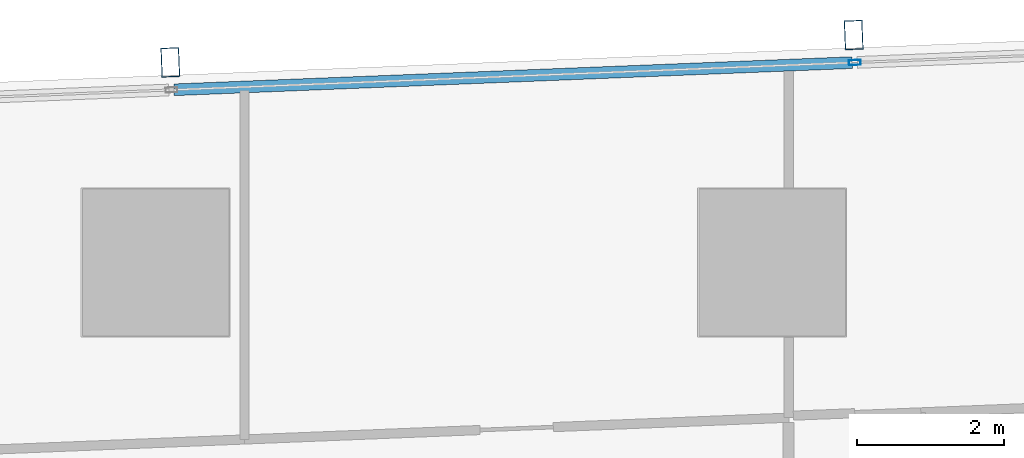
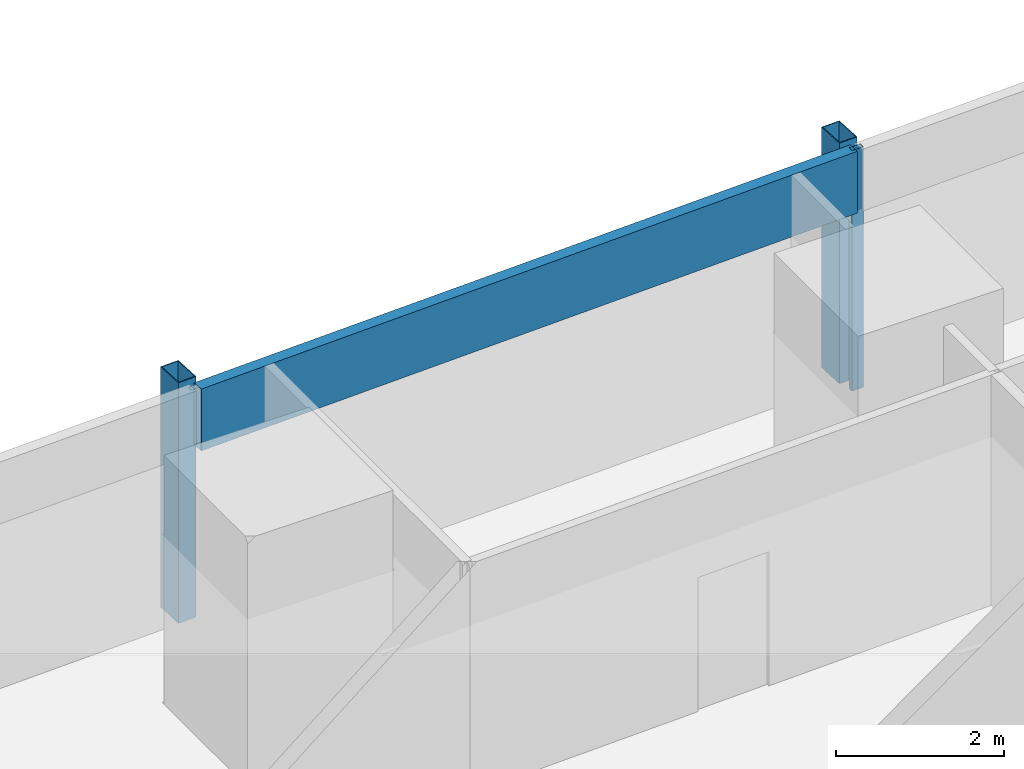
# One storey, part 17 of 39: 4 members, 1 element without a shape of its own.
"""IFC4 building model written with IfcOpenShell, lengths in metres."""

from ifc_helpers import new_model, si_unit, direction, frame, origin, origin_2d, place, context, subcontext, project, spatial, hollow_rectangle, extrude, material, material_profile, profile_set, type_object, element, aggregate, save


model = new_model("IFC4")

# Units and contexts
model_context = context("Model", 3, precision=1e-05, world=origin(), true_north=direction((0.0, 1.0)))
body_context = subcontext(model_context, "Body", "Model", "MODEL_VIEW")
ifc_project = project(units=[si_unit("LENGTHUNIT", "METRE"), si_unit("AREAUNIT", "SQUARE_METRE"), si_unit("VOLUMEUNIT", "CUBIC_METRE"), si_unit("PLANEANGLEUNIT", "RADIAN"), si_unit("MASSUNIT", "GRAM", prefix="KILO")], contexts=[model_context])

# Site, building, storey
site_placement = place(None, origin())
site = spatial("IfcSite", under=ifc_project, at=site_placement, CompositionType="ELEMENT")
building_placement = place(site_placement, origin())
building = spatial("IfcBuilding", under=site, at=building_placement, Name="Rekha Terrace Tower", CompositionType="ELEMENT")
storey_placement = place(building_placement, frame((0.0, 0.0, 151.550048828125)))
storey = spatial("IfcBuildingStorey", under=building, at=storey_placement, Name="L38", CompositionType="ELEMENT", Elevation=151.550048828125)

# Curtain wall, members
ifc_material_1 = material(Name="Aluminium framing", Category="aluminium")
curtain_wall_type = type_object("IfcCurtainWallType", Name="CW3 north unitised glazing", PredefinedType="USERDEFINED", material=ifc_material_1)
curtain_wall_placement = place(storey_placement, origin())
curtain_wall = element("IfcCurtainWall", 1, at=curtain_wall_placement, inside=storey, type_object=curtain_wall_type, Name="CW3 unitised curtain wall", ObjectType="UNITISED CURTAIN WALL", PredefinedType="USERDEFINED")
ifc_material_2 = material(Name="Steel S355 with fluorocarbon finish", Category="steel")
ifc_material_profile_1 = material_profile(ifc_material_2, hollow_rectangle(XDim=0.25, YDim=0.39990234375, WallThickness=0.012451171875, at=origin_2d()), Name="RHS400x250x12.5")
ifc_profile_set_1 = profile_set([ifc_material_profile_1], Name="Steel S355 with fluorocarbon finish")
member_type_1 = type_object("IfcMemberType", Name="BL1 facade blade RHS 400 x 250", PredefinedType="USERDEFINED", material=ifc_profile_set_1)
member_1_placement = place(storey_placement, frame((34.7109375, 61.9013671875, 0.0), z_axis=(0.0, 0.0, 1.0), x_axis=(-0.999198382632, -0.040032388711, 0.0)))
member_1 = element("IfcMember", 2, at=member_1_placement, type_object=member_type_1, Name="Facade blade", ObjectType="FACADE BLADE", PredefinedType="USERDEFINED", context=body_context, shape_type="SweptSolid", body=[
    extrude(hollow_rectangle(XDim=0.25, YDim=0.39990234375, WallThickness=0.012451171875, at=origin_2d()), origin(), (0.0, 0.0, 1.0), 3.5),
])
member_2_placement = place(storey_placement, frame((25.39892578125, 61.5283203125, 0.0), z_axis=(0.0, 0.0, 1.0), x_axis=(-0.999198382632, -0.040032388711, 0.0)))
member_2 = element("IfcMember", 3, at=member_2_placement, type_object=member_type_1, Name="Facade blade", ObjectType="FACADE BLADE", PredefinedType="USERDEFINED", context=body_context, shape_type="SweptSolid", body=[
    extrude(hollow_rectangle(XDim=0.25, YDim=0.39990234375, WallThickness=0.012451171875, at=origin_2d()), origin(), (0.0, 0.0, 1.0), 3.5),
])
ifc_material_3 = material(Name="Aluminium mullion section", Category="aluminium")
ifc_material_profile_2 = material_profile(ifc_material_3, hollow_rectangle(XDim=0.070068359375, YDim=0.159912109375, WallThickness=0.00390625, at=origin_2d()), Name="AL RHS 70x160")
ifc_profile_set_2 = profile_set([ifc_material_profile_2], Name="Aluminium mullion section")
member_type_2 = type_object("IfcMemberType", Name="CW3 mullion RHS 70 x 160", PredefinedType="MULLION", material=ifc_profile_set_2)
member_3_placement = place(storey_placement, frame((34.725830078125, 61.526611328125, 0.0), z_axis=(0.0, 0.0, 1.0), x_axis=(0.040031987119, -0.999198398721, 0.0)))
member_3 = element("IfcMember", 4, at=member_3_placement, type_object=member_type_2, Name="CW3 mullion 2", PredefinedType="MULLION", context=body_context, shape_type="SweptSolid", body=[
    extrude(hollow_rectangle(XDim=0.070068359375, YDim=0.159912109375, WallThickness=0.00390625, at=origin_2d()), origin(), (0.0, 0.0, 1.0), 3.5),
])
ifc_material_4 = material(Name="Insulated aluminium spandrel box", Category="aluminium")
ifc_material_profile_3 = material_profile(ifc_material_4, hollow_rectangle(XDim=0.159912109375, YDim=0.89990234375, WallThickness=0.0029296875, at=origin_2d()), Name="AL SPANDREL BOX 160x900")
ifc_profile_set_3 = profile_set([ifc_material_profile_3], Name="Insulated aluminium spandrel box")
member_type_3 = type_object("IfcMemberType", Name="CW3 spandrel transom 160 x 900", PredefinedType="USERDEFINED", material=ifc_profile_set_3)
member_4_placement = place(storey_placement, frame((34.69091796875, 61.525390625, 3.050048828125), z_axis=(-0.999198046754, -0.040040771263, 0.0), x_axis=(0.040040771263, -0.999198046754, 0.0)))
member_4 = element("IfcMember", 5, at=member_4_placement, type_object=member_type_3, Name="CW3 spandrel transom 2", ObjectType="TRANSOM", PredefinedType="USERDEFINED", context=body_context, shape_type="SweptSolid", body=[
    extrude(hollow_rectangle(XDim=0.159912109375, YDim=0.89990234375, WallThickness=0.0029296875, at=origin_2d()), origin(), (0.0, 0.0, 1.0), 9.24951171875),
])
aggregate(curtain_wall, [member_3, member_4, member_1, member_2])

save(model, "model.ifc")
